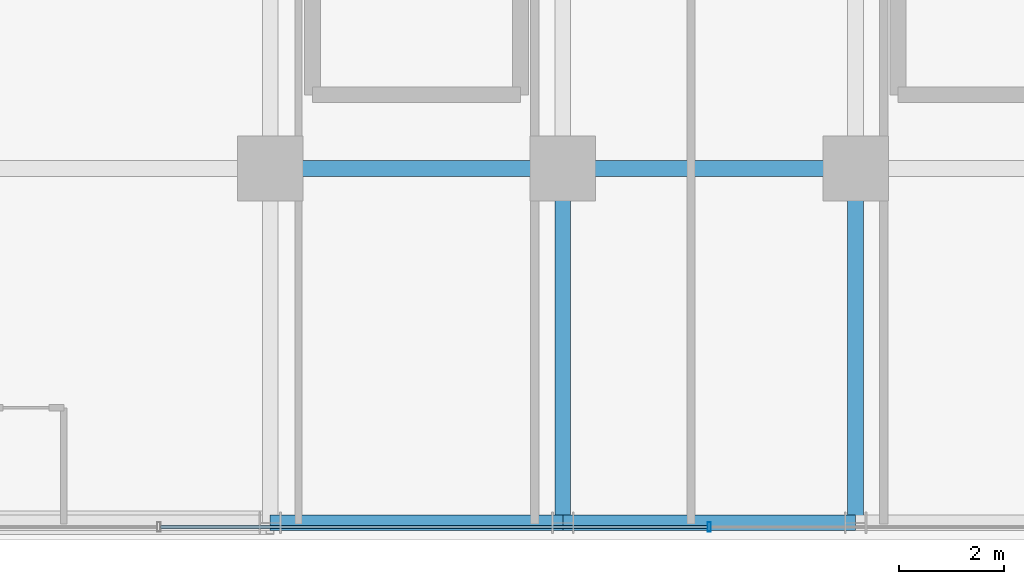
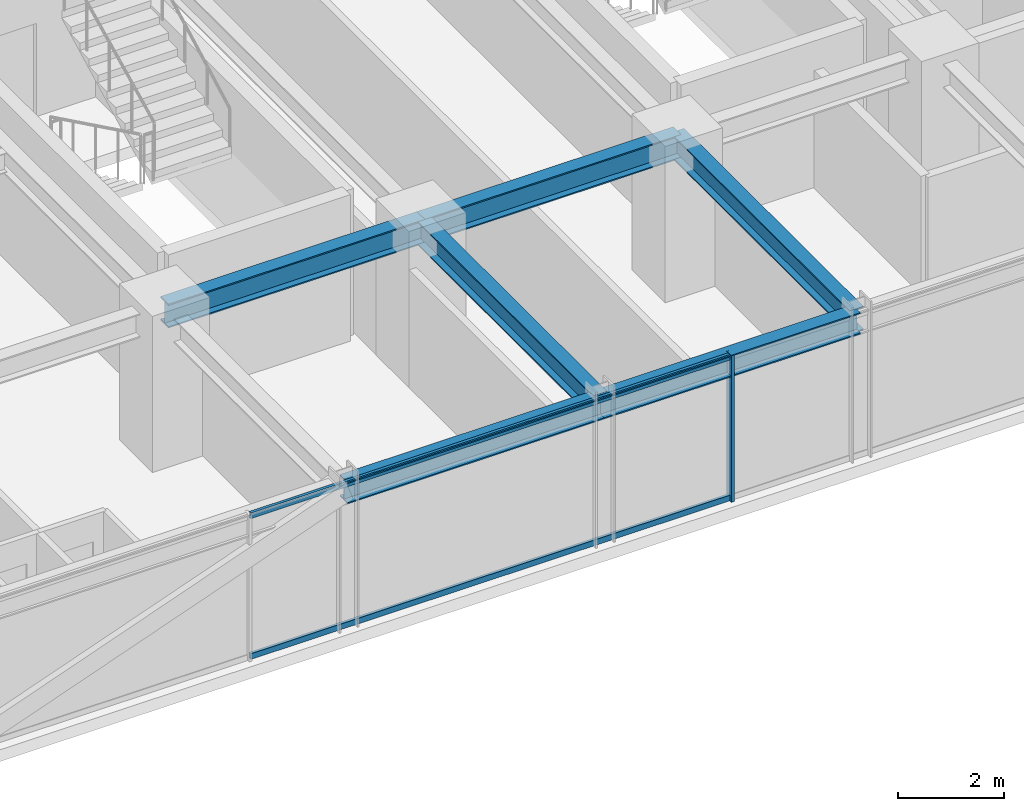
# One storey, part 6 of 35: 6 beams, 3 members, 1 element without a shape of its own.
"""IFC4 building model written with IfcOpenShell, lengths in metres."""

from ifc_helpers import new_model, si_unit, direction, frame, origin, origin_2d, place, context, subcontext, project, spatial, hollow_rectangle, i_section, extrude, source, transform, mapped, material, material_profile, profile_set, type_object, element, aggregate, save


model = new_model("IFC4")

# Units and contexts
model_context = context("Model", 3, precision=1e-05, world=origin(), true_north=direction((0.0, 1.0)))
body_context = subcontext(model_context, "Body", "Model", "MODEL_VIEW")
ifc_project = project(units=[si_unit("LENGTHUNIT", "METRE"), si_unit("AREAUNIT", "SQUARE_METRE"), si_unit("VOLUMEUNIT", "CUBIC_METRE"), si_unit("PLANEANGLEUNIT", "RADIAN"), si_unit("MASSUNIT", "GRAM", prefix="KILO")], contexts=[model_context])

# Site, building, storey
site_placement = place(None, origin())
site = spatial("IfcSite", under=ifc_project, at=site_placement, CompositionType="ELEMENT")
building_placement = place(site_placement, origin())
building = spatial("IfcBuilding", under=site, at=building_placement, Name="Nahalor Promenade Grand Hotel", CompositionType="ELEMENT")
storey_placement = place(building_placement, frame((0.0, 0.0, 106.550048828125)))
storey = spatial("IfcBuildingStorey", under=building, at=storey_placement, Name="L26", CompositionType="ELEMENT", Elevation=106.550048828125)

# Beams
ifc_material_1 = material(Name="Steel S355JR", Category="steel")
ifc_material_profile_1 = material_profile(ifc_material_1, i_section(OverallWidth=0.3, OverallDepth=0.5, WebThickness=0.0145, FlangeThickness=0.028, at=origin_2d()), Name="HEB 500")
ifc_profile_set_1 = profile_set([ifc_material_profile_1], Name="Steel S355JR")
beam_type_1 = type_object("IfcBeamType", Name="Beam-Spandrel-HEB500", PredefinedType="SPANDREL", material=ifc_profile_set_1)
shared_shape_1 = source(origin(), body_context, "Body", "SweptSolid", [
    extrude(i_section(OverallWidth=0.3, OverallDepth=0.5, WebThickness=0.0145, FlangeThickness=0.028, at=origin_2d()), origin(), (0.0, 0.0, 1.0), 5.599853515625),
])
beam_1_placement = place(storey_placement, frame((-8.39990234375, -23.780029296875, 3.1298828125), z_axis=(1.0, 0.0, 0.0), x_axis=(0.0, 1.0, 0.0)))
element("IfcBeam", 1, at=beam_1_placement, inside=storey, type_object=beam_type_1, Name="BM-L26-SP-S-1", PredefinedType="SPANDREL", context=body_context, shape_type="MappedRepresentation", body=[
    mapped(shared_shape_1, transform((0.0, 0.0, 0.0), scale=1.0)),
])
shared_shape_2 = source(origin(), body_context, "Body", "SweptSolid", [
    extrude(i_section(OverallWidth=0.3, OverallDepth=0.5, WebThickness=0.0145, FlangeThickness=0.028, at=origin_2d()), origin(), (0.0, 0.0, 1.0), 5.60009765625),
])
beam_2_placement = place(storey_placement, frame((-2.800048828125, -23.780029296875, 3.1298828125), z_axis=(1.0, 0.0, 0.0), x_axis=(0.0, 1.0, 0.0)))
element("IfcBeam", 2, at=beam_2_placement, inside=storey, type_object=beam_type_1, Name="BM-L26-SP-S-2", PredefinedType="SPANDREL", context=body_context, shape_type="MappedRepresentation", body=[
    mapped(shared_shape_2, transform((0.0, 0.0, 0.0), scale=1.0)),
])
ifc_material_profile_2 = material_profile(ifc_material_1, i_section(OverallWidth=0.3, OverallDepth=0.55, WebThickness=0.015, FlangeThickness=0.029, at=origin_2d()), Name="HEB 550")
ifc_profile_set_2 = profile_set([ifc_material_profile_2], Name="Steel S355JR")
beam_type_2 = type_object("IfcBeamType", Name="Beam-Girder-HEB550", PredefinedType="BEAM", material=ifc_profile_set_2)
shared_shape_3 = source(origin(), body_context, "Body", "SweptSolid", [
    extrude(i_section(OverallWidth=0.3, OverallDepth=0.55, WebThickness=0.015, FlangeThickness=0.029, at=origin_2d()), origin(), (0.0, 0.0, 1.0), 6.780029296875),
])
for number, where, z_axis, x_axis, name in (
    (3, (-2.800048828125, -23.780029296875, 3.10498046875), (0.0, 1.0, 0.0), (-1.0, 0.0, 0.0), "BM-L26-GY-2-0"),
    (4, (2.800048828125, -23.780029296875, 3.10498046875), (0.0, 1.0, 0.0), (-1.0, 0.0, 0.0), "BM-L26-GY-3-0"),
):
    element("IfcBeam", number, at=place(storey_placement, frame(where, z_axis=z_axis, x_axis=x_axis)), inside=storey, type_object=beam_type_2, Name=name, PredefinedType="BEAM", context=body_context, shape_type="MappedRepresentation", body=[
        mapped(shared_shape_3, transform((0.0, 0.0, 0.0), scale=1.0)),
    ])
shared_shape_4 = source(origin(), body_context, "Body", "SweptSolid", [
    extrude(i_section(OverallWidth=0.3, OverallDepth=0.55, WebThickness=0.015, FlangeThickness=0.029, at=origin_2d()), origin(), (0.0, 0.0, 1.0), 5.599853515625),
])
beam_3_placement = place(storey_placement, frame((-8.39990234375, -17.0, 3.10498046875), z_axis=(1.0, 0.0, 0.0), x_axis=(0.0, 1.0, 0.0)))
element("IfcBeam", 5, at=beam_3_placement, inside=storey, type_object=beam_type_2, Name="BM-L26-GX-0-2", PredefinedType="BEAM", context=body_context, shape_type="MappedRepresentation", body=[
    mapped(shared_shape_4, transform((0.0, 0.0, 0.0), scale=1.0)),
])
shared_shape_5 = source(origin(), body_context, "Body", "SweptSolid", [
    extrude(i_section(OverallWidth=0.3, OverallDepth=0.55, WebThickness=0.015, FlangeThickness=0.029, at=origin_2d()), origin(), (0.0, 0.0, 1.0), 5.60009765625),
])
beam_4_placement = place(storey_placement, frame((-2.800048828125, -17.0, 3.10498046875), z_axis=(1.0, 0.0, 0.0), x_axis=(0.0, 1.0, 0.0)))
element("IfcBeam", 6, at=beam_4_placement, inside=storey, type_object=beam_type_2, Name="BM-L26-GX-0-3", PredefinedType="BEAM", context=body_context, shape_type="MappedRepresentation", body=[
    mapped(shared_shape_5, transform((0.0, 0.0, 0.0), scale=1.0)),
])

# Curtain wall, members
ifc_material_2 = material(Name="Anodised Bronze Aluminium EN AW-6063 T6", Category="aluminium")
curtain_wall_type = type_object("IfcCurtainWallType", Name="CW2 Typical Hotel Flush Bronze Unitised Curtain Wall", PredefinedType="USERDEFINED", material=ifc_material_2)
curtain_wall_placement = place(storey_placement, origin())
curtain_wall = element("IfcCurtainWall", 7, at=curtain_wall_placement, inside=storey, type_object=curtain_wall_type, Name="L26 Curtain Wall CW-L26-S-1", ObjectType="UNITISED_CURTAIN_WALL", PredefinedType="USERDEFINED")
ifc_material_profile_3 = material_profile(ifc_material_2, hollow_rectangle(XDim=0.065, YDim=0.18, WallThickness=0.004, at=origin_2d()), Name="CWM 65x180x4")
ifc_profile_set_3 = profile_set([ifc_material_profile_3], Name="Anodised Bronze Aluminium EN AW-6063 T6")
member_type_1 = type_object("IfcMemberType", Name="CWM2 Typical Bronze Mullion 65x180", PredefinedType="MULLION", material=ifc_profile_set_3)
shared_shape_6 = source(origin(), body_context, "Body", "SweptSolid", [
    extrude(hollow_rectangle(XDim=0.065, YDim=0.18, WallThickness=0.004, at=origin_2d()), origin(), (0.0, 0.0, 1.0), 3.3798828125),
])
member_1_placement = place(storey_placement, frame((0.0, -23.860107421875, 0.0), z_axis=(0.0, 0.0, 1.0), x_axis=(1.0, 0.0, 0.0)))
member_1 = element("IfcMember", 8, at=member_1_placement, type_object=member_type_1, Name="CW-L26-S-1 Mullion 2", PredefinedType="MULLION", context=body_context, shape_type="MappedRepresentation", body=[
    mapped(shared_shape_6, transform((0.0, 0.0, 0.0), scale=1.0)),
])
ifc_material_profile_4 = material_profile(ifc_material_2, hollow_rectangle(XDim=0.065, YDim=0.13, WallThickness=0.004, at=origin_2d()), Name="CWT 65x130x4")
ifc_profile_set_4 = profile_set([ifc_material_profile_4], Name="Anodised Bronze Aluminium EN AW-6063 T6")
member_type_2 = type_object("IfcMemberType", Name="CWT2 Typical Bronze Transom 65x130", PredefinedType="USERDEFINED", material=ifc_profile_set_4)
shared_shape_7 = source(origin(), body_context, "Body", "SweptSolid", [
    extrude(hollow_rectangle(XDim=0.065, YDim=0.13, WallThickness=0.004, at=origin_2d()), origin(), (0.0, 0.0, 1.0), 10.465087890625),
])
member_2_placement = place(storey_placement, frame((-10.49755859375, -23.860107421875, 0.06494140625), z_axis=(1.0, 0.0, 0.0), x_axis=(0.0, 1.0, 0.0)))
member_2 = element("IfcMember", 9, at=member_2_placement, type_object=member_type_2, Name="CW-L26-S-1 Transom 1-0", ObjectType="TRANSOM", PredefinedType="USERDEFINED", context=body_context, shape_type="MappedRepresentation", body=[
    mapped(shared_shape_7, transform((0.0, 0.0, 0.0), scale=1.0)),
])
member_3_placement = place(storey_placement, frame((-10.49755859375, -23.860107421875, 3.31494140625), z_axis=(1.0, 0.0, 0.0), x_axis=(0.0, 1.0, 0.0)))
member_3 = element("IfcMember", 10, at=member_3_placement, type_object=member_type_2, Name="CW-L26-S-1 Transom 1-1", ObjectType="TRANSOM", PredefinedType="USERDEFINED", context=body_context, shape_type="MappedRepresentation", body=[
    mapped(shared_shape_7, transform((0.0, 0.0, 0.0), scale=1.0)),
])
aggregate(curtain_wall, [member_1, member_2, member_3])

save(model, "model.ifc")
